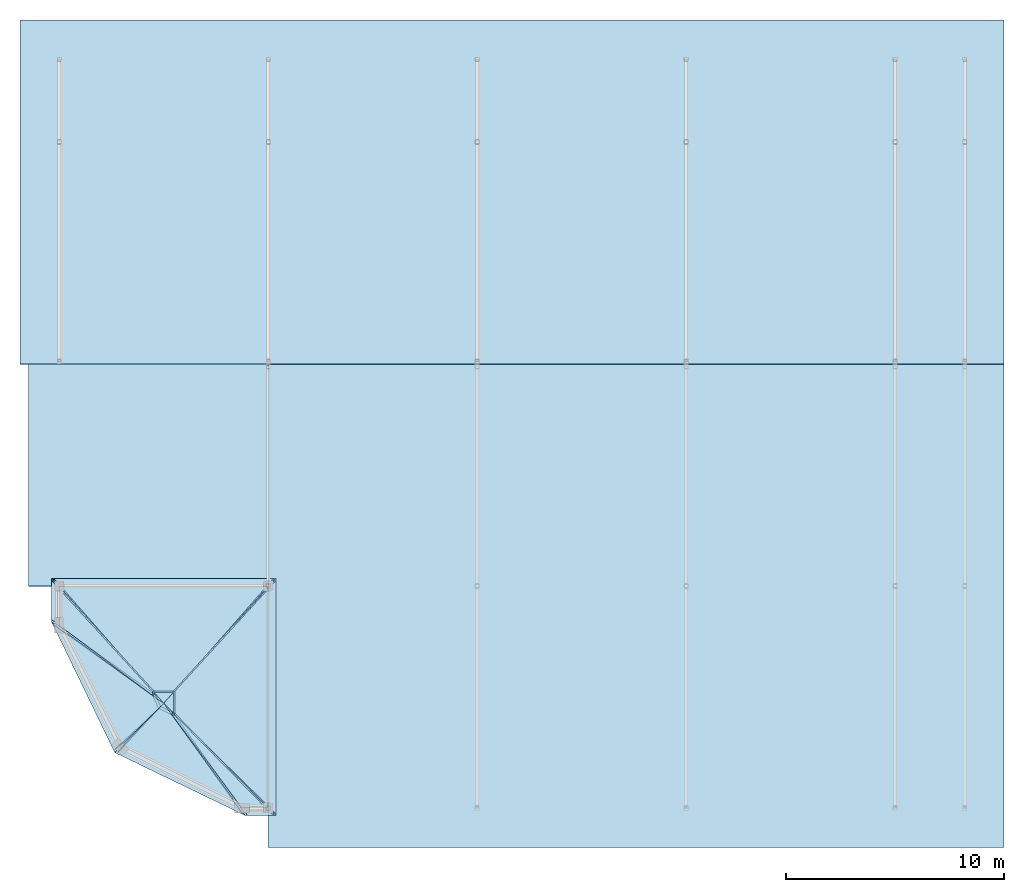
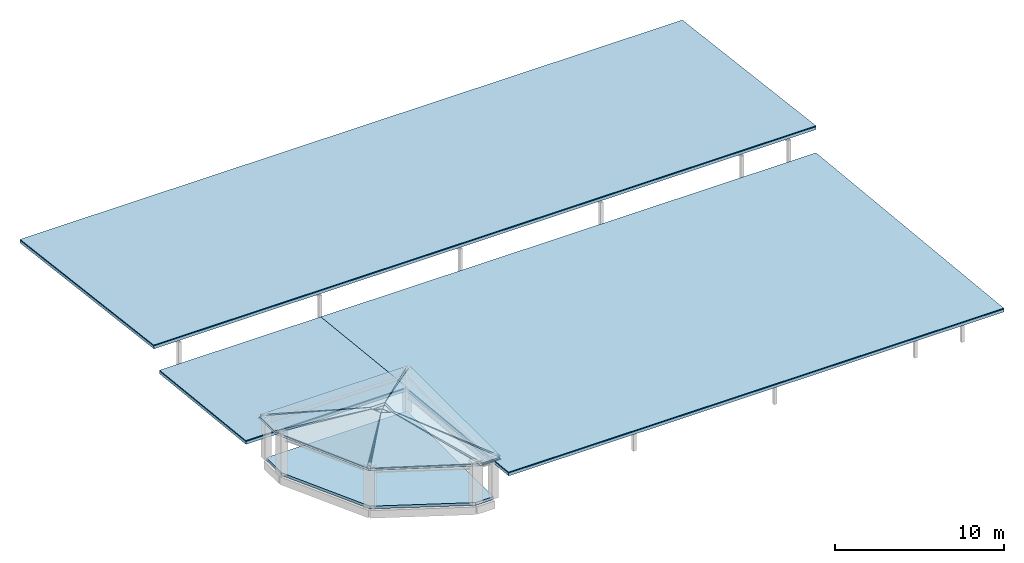
# One storey, part 11 of 11: 10 slabs, 9 roofs.
"""IFC4 building model written with IfcOpenShell, lengths in metres."""

from ifc_helpers import new_model, si_unit, direction, frame, origin, place, context, subcontext, project, spatial, polyline, outline, extrude, material, layer, layer_set, type_object, element, save


model = new_model("IFC4")

# Units and contexts
model_context = context("Model", 3, precision=1e-05, world=origin(), true_north=direction((0.0, 1.0)))
body_context = subcontext(model_context, "Body", "Model", "MODEL_VIEW")
ifc_project = project(units=[si_unit("LENGTHUNIT", "METRE"), si_unit("AREAUNIT", "SQUARE_METRE"), si_unit("VOLUMEUNIT", "CUBIC_METRE"), si_unit("PLANEANGLEUNIT", "RADIAN"), si_unit("MASSUNIT", "GRAM", prefix="KILO")], contexts=[model_context])

# Site, building, storey
site_placement = place(None, origin())
site = spatial("IfcSite", under=ifc_project, at=site_placement, CompositionType="ELEMENT")
building_placement = place(site_placement, origin())
building = spatial("IfcBuilding", under=site, at=building_placement, Name="Vondelvale Polytechnic", CompositionType="ELEMENT")
storey_placement = place(building_placement, frame((0.0, 0.0, 34.800048828125)))
storey = spatial("IfcBuildingStorey", under=building, at=storey_placement, Name="Roof", CompositionType="ELEMENT", Elevation=34.800048828125)

# Slabs
ifc_material_1 = material(Name="Concrete N40 (f'c = 40 MPa)", Category="concrete")
ifc_layer_1 = layer(ifc_material_1, 0.199951171875)
ifc_layer_set_1 = layer_set([ifc_layer_1], Name="SLB-ROOF-200")
slab_type = type_object("IfcSlabType", Name="SLB-ROOF-200", PredefinedType="ROOF", material=ifc_layer_set_1)
slab_1_placement = place(storey_placement, frame((0.0, 0.0, -0.199951171875)))
element("IfcSlab", 1, at=slab_1_placement, inside=storey, type_object=slab_type, Name="Roof SW turret base slab", PredefinedType="ROOF", context=body_context, shape_type="SweptSolid", body=[
    extrude(outline(polyline([(8.39990234375, 0.0), (9.60009765625, 0.0), (9.60009765625, 10.199951171875), (0.0, 10.199951171875), (0.0, 8.39990234375), (2.800048828125, 2.800048828125), (8.39990234375, 0.0)])), origin(), (0.0, 0.0, 1.0), 0.199951171875),
])
slab_2_placement = place(storey_placement, frame((8.659912109375, -0.35009765625, 2.97998046875), z_axis=(0.0, -0.407793341447, 0.913074252551), x_axis=(1.0, 0.0, 0.0)))
element("IfcSlab", 2, at=slab_2_placement, inside=storey, type_object=slab_type, Name="SW Amsterdam School corner turret steep spire slab facet 1", PredefinedType="ROOF", context=body_context, shape_type="SweptSolid", body=[
    extrude(outline(polyline([(0.0, 0.0), (1.18017578125, 0.0), (-3.35595703125, 5.076268170607678), (-3.473876953125, 5.076268170607678), (0.0, 0.0)])), origin(), (0.0, 0.0, -1.0), 0.199951171875),
])
slab_3_placement = place(storey_placement, frame((9.949951171875, -0.239990234375, 2.97998046875), z_axis=(0.407793341447, 0.0, 0.913074252551), x_axis=(0.0, 1.0, 0.0)))
element("IfcSlab", 3, at=slab_3_placement, inside=storey, type_object=slab_type, Name="SW Amsterdam School corner turret steep spire slab facet 2", PredefinedType="ROOF", context=body_context, shape_type="SweptSolid", body=[
    extrude(outline(polyline([(0.0, 0.0), (10.679931640625, 0.0), (5.60400390625, 5.076268170607678), (4.535888671875, 5.076268170607678), (0.0, 0.0)])), origin(), (0.0, 0.0, -1.0), 0.199951171875),
])
slab_4_placement = place(storey_placement, frame((9.840087890625, 10.550048828125, 2.97998046875), z_axis=(0.0, 0.371398228433, 0.928473670018), x_axis=(-1.0, 0.0, 0.0)))
element("IfcSlab", 4, at=slab_4_placement, inside=storey, type_object=slab_type, Name="SW Amsterdam School corner turret steep spire slab facet 3", PredefinedType="ROOF", context=body_context, shape_type="SweptSolid", body=[
    extrude(outline(polyline([(0.0, 0.0), (10.080078125, 0.0), (5.544189453125, 5.5737162993790275), (4.5361328125, 5.5737162993790275), (0.0, 0.0)])), origin(), (0.0, 0.0, -1.0), 0.199951171875),
])
slab_5_placement = place(storey_placement, frame((-0.35009765625, 10.43994140625, 2.97998046875), z_axis=(-0.407793341447, 0.0, 0.913074252551), x_axis=(0.0, -1.0, 0.0)))
element("IfcSlab", 5, at=slab_5_placement, inside=storey, type_object=slab_type, Name="SW Amsterdam School corner turret steep spire slab facet 4", PredefinedType="ROOF", context=body_context, shape_type="SweptSolid", body=[
    extrude(outline(polyline([(0.0, 0.0), (1.780029296875, 0.0), (5.25390625, 5.076268170607677), (5.075927734375, 5.076268170607677), (0.0, 0.0)])), origin(), (0.0, 0.0, -1.0), 0.199951171875),
])
slab_6_placement = place(storey_placement, frame((-0.302001953125, 8.450927734375, 2.97998046875), z_axis=(-0.547248279819, -0.264507173234, 0.794075106991), x_axis=(0.435162482734, -0.900351938704, -9.603757e-06)))
element("IfcSlab", 6, at=slab_6_placement, inside=storey, type_object=slab_type, Name="SW Amsterdam School corner turret steep spire slab facet 5", PredefinedType="ROOF", context=body_context, shape_type="SweptSolid", body=[
    extrude(outline(polyline([(0.0, 0.0), (6.4441260009740855, 0.0), (5.6009592741803615, 3.405816440463169), (4.956614083989267, 3.405704440204228), (0.0, 0.0)])), origin(), (0.0, 0.0, -1.0), 0.199951171875),
])
slab_7_placement = place(storey_placement, frame((2.64892578125, 2.502197265625, 2.97998046875), z_axis=(-0.264507173234, -0.547248279819, 0.794075106991), x_axis=(0.900351938704, -0.435162482734, 9.603757e-06)))
element("IfcSlab", 7, at=slab_7_placement, inside=storey, type_object=slab_type, Name="SW Amsterdam School corner turret steep spire slab facet 6", PredefinedType="ROOF", context=body_context, shape_type="SweptSolid", body=[
    extrude(outline(polyline([(0.0, 0.0), (6.4441260009740855, 0.0), (1.4875119169848183, 3.405704440204228), (0.843166726793723, 3.4058164404631697), (0.0, 0.0)])), origin(), (0.0, 0.0, -1.0), 0.199951171875),
])
slab_8_placement = place(storey_placement, frame((-1.39990234375, 10.199951171875, 1.64990234375), z_axis=(0.0, 0.107207832351, 0.994236632137), x_axis=(1.0, 0.0, 0.0)))
element("IfcSlab", 8, at=slab_8_placement, inside=storey, type_object=slab_type, Name="Volume 2 West shoulder pitched roof slab", PredefinedType="ROOF", context=body_context, shape_type="SweptSolid", body=[
    extrude(outline(polyline([(0.0, 0.0), (11.0, 0.0), (11.0, 10.25907801239794), (0.0, 10.25907801239794), (0.0, 0.0)])), origin(), (0.0, 0.0, -1.0), 0.199951171875),
])
slab_9_placement = place(storey_placement, frame((9.60009765625, -1.800048828125, 2.800048828125), z_axis=(0.0, 0.100835001749, 0.994903162334), x_axis=(1.0, 0.0, 0.0)))
element("IfcSlab", 9, at=slab_9_placement, inside=storey, type_object=slab_type, Name="Corner wing inward-sloping roof slab 1", PredefinedType="ROOF", context=body_context, shape_type="SweptSolid", body=[
    extrude(outline(polyline([(0.0, 0.0), (33.7998046875, 0.0), (33.7998046875, 22.31368037849503), (0.0, 22.31368037849503), (0.0, 0.0)])), origin(), (0.0, 0.0, -1.0), 0.199951171875),
])
slab_10_placement = place(storey_placement, frame((-1.800048828125, 20.39990234375, 2.5), z_axis=(0.0, 0.122484985659, 0.992470366453), x_axis=(1.0, 0.0, 0.0)))
element("IfcSlab", 10, at=slab_10_placement, inside=storey, type_object=slab_type, Name="Corner wing inward-sloping roof slab 2", PredefinedType="ROOF", context=body_context, shape_type="SweptSolid", body=[
    extrude(outline(polyline([(0.0, 0.0), (45.199951171875, 0.0), (45.199951171875, 15.91991999175344), (0.0, 15.91991999175344), (0.0, 0.0)])), origin(), (0.0, 0.0, -1.0), 0.199951171875),
])

# Roofs
ifc_material_2 = material(Name="Dark zinc-bronze standing-seam insulated roof system")
ifc_layer_2 = layer(ifc_material_2, 0.06005859375)
ifc_layer_set_2 = layer_set([ifc_layer_2], Name="RF-ZINC-WING")
roof_type = type_object("IfcRoofType", Name="RF-ZINC-WING", PredefinedType="SHED_ROOF", material=ifc_layer_set_2)
roof_1_placement = place(storey_placement, frame((8.550048828125, -0.35009765625, 2.81005859375), z_axis=(0.0, -0.407744290472, 0.913096157909), x_axis=(1.0, 0.0, 0.0)))
element("IfcRoof", 11, at=roof_1_placement, inside=storey, type_object=roof_type, Name="SW Amsterdam School corner turret steep spire facet 1", PredefinedType="SHED_ROOF", context=body_context, shape_type="SweptSolid", body=[
    extrude(outline(polyline([(0.0, 0.0), (1.39990234375, 0.0), (-3.75, 5.640311198078272), (0.0, 0.0)])), origin(), (0.0, 0.0, -1.0), 0.06005859375),
])
roof_2_placement = place(storey_placement, frame((9.949951171875, -0.35009765625, 2.81005859375), z_axis=(0.407760406456, 0.0, 0.913088961124), x_axis=(0.0, 1.0, 0.0)))
element("IfcRoof", 12, at=roof_2_placement, inside=storey, type_object=roof_type, Name="SW Amsterdam School corner turret steep spire facet 2", PredefinedType="SHED_ROOF", context=body_context, shape_type="SweptSolid", body=[
    extrude(outline(polyline([(0.0, 0.0), (10.900146484375, 0.0), (5.150146484375, 5.640088275090091), (0.0, 0.0)])), origin(), (0.0, 0.0, -1.0), 0.06005859375),
])
roof_3_placement = place(storey_placement, frame((9.949951171875, 10.550048828125, 2.81005859375), z_axis=(0.0, 0.371363488005, 0.928487565763), x_axis=(-1.0, 0.0, 0.0)))
element("IfcRoof", 13, at=roof_3_placement, inside=storey, type_object=roof_type, Name="SW Amsterdam School corner turret steep spire facet 3", PredefinedType="SHED_ROOF", context=body_context, shape_type="SweptSolid", body=[
    extrude(outline(polyline([(0.0, 0.0), (10.300048828125, 0.0), (5.14990234375, 6.192866993618301), (0.0, 0.0)])), origin(), (0.0, 0.0, -1.0), 0.06005859375),
])
roof_4_placement = place(storey_placement, frame((-0.35009765625, 10.550048828125, 2.81005859375), z_axis=(-0.407744290472, 0.0, 0.913096157909), x_axis=(0.0, -1.0, 0.0)))
element("IfcRoof", 14, at=roof_4_placement, inside=storey, type_object=roof_type, Name="SW Amsterdam School corner turret steep spire facet 4", PredefinedType="SHED_ROOF", context=body_context, shape_type="SweptSolid", body=[
    extrude(outline(polyline([(0.0, 0.0), (2.0, 0.0), (5.75, 5.640311198078272), (0.0, 0.0)])), origin(), (0.0, 0.0, -1.0), 0.06005859375),
])
roof_5_placement = place(storey_placement, frame((-0.35009765625, 8.550048828125, 2.81005859375), z_axis=(-0.547198997094, -0.264492874612, 0.794113831172), x_axis=(0.435186478846, -0.900340340443, 0.0)))
element("IfcRoof", 15, at=roof_5_placement, inside=storey, type_object=roof_type, Name="SW Amsterdam School corner turret steep spire facet 5", PredefinedType="SHED_ROOF", context=body_context, shape_type="SweptSolid", body=[
    extrude(outline(polyline([(0.0, 0.0), (6.664146579332771, 0.0), (5.617550390739547, 3.7840108375464667), (0.0, 0.0)])), origin(), (0.0, 0.0, -1.0), 0.06005859375),
])
roof_6_placement = place(storey_placement, frame((2.550048828125, 2.550048828125, 2.81005859375), z_axis=(-0.264492874612, -0.547198997094, 0.794113831172), x_axis=(0.900340340443, -0.435186478846, 0.0)))
element("IfcRoof", 16, at=roof_6_placement, inside=storey, type_object=roof_type, Name="SW Amsterdam School corner turret steep spire facet 6", PredefinedType="SHED_ROOF", context=body_context, shape_type="SweptSolid", body=[
    extrude(outline(polyline([(0.0, 0.0), (6.664146579332771, 0.0), (1.0465961885932242, 3.7840108375464667), (0.0, 0.0)])), origin(), (0.0, 0.0, -1.0), 0.06005859375),
])
roof_7_placement = place(storey_placement, frame((-1.39990234375, 10.199951171875, 1.7099609375), z_axis=(0.0, 0.107231356264, 0.994234095288), x_axis=(1.0, 0.0, 0.0)))
element("IfcRoof", 17, at=roof_7_placement, inside=storey, type_object=roof_type, Name="Volume 2 West shoulder standing-seam zinc roof", PredefinedType="SHED_ROOF", context=body_context, shape_type="SweptSolid", body=[
    extrude(outline(polyline([(0.0, 0.0), (11.0, 0.0), (11.0, 10.259104189056709), (0.0, 10.259104189056709), (0.0, 0.0)])), origin(), (0.0, 0.0, -1.0), 0.06005859375),
])
roof_8_placement = place(storey_placement, frame((9.60009765625, -1.800048828125, 2.85986328125), z_axis=(0.0, 0.100835001749, 0.994903162334), x_axis=(1.0, 0.0, 0.0)))
element("IfcRoof", 18, at=roof_8_placement, inside=storey, type_object=roof_type, Name="Corner wing zinc roof 1", PredefinedType="SHED_ROOF", context=body_context, shape_type="SweptSolid", body=[
    extrude(outline(polyline([(0.0, 0.0), (33.7998046875, 0.0), (33.7998046875, 22.31368037849503), (0.0, 22.31368037849503), (0.0, 0.0)])), origin(), (0.0, 0.0, -1.0), 0.06005859375),
])
roof_9_placement = place(storey_placement, frame((-1.800048828125, 20.39990234375, 2.56005859375), z_axis=(0.0, 0.122500091087, 0.992468502112), x_axis=(1.0, 0.0, 0.0)))
element("IfcRoof", 19, at=roof_9_placement, inside=storey, type_object=roof_type, Name="Corner wing zinc roof 2", PredefinedType="SHED_ROOF", context=body_context, shape_type="SweptSolid", body=[
    extrude(outline(polyline([(0.0, 0.0), (45.199951171875, 0.0), (45.199951171875, 15.91994989715832), (0.0, 15.91994989715832), (0.0, 0.0)])), origin(), (0.0, 0.0, -1.0), 0.06005859375),
])

save(model, "model.ifc")
